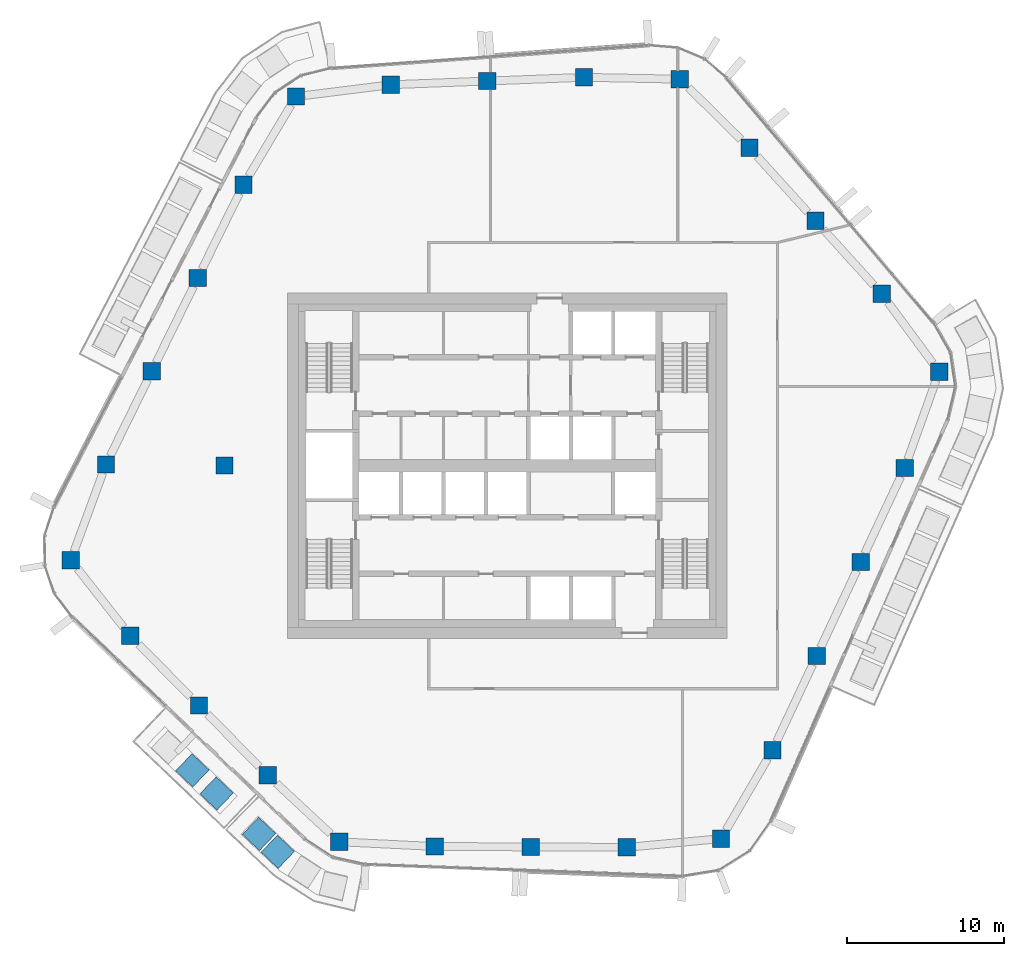
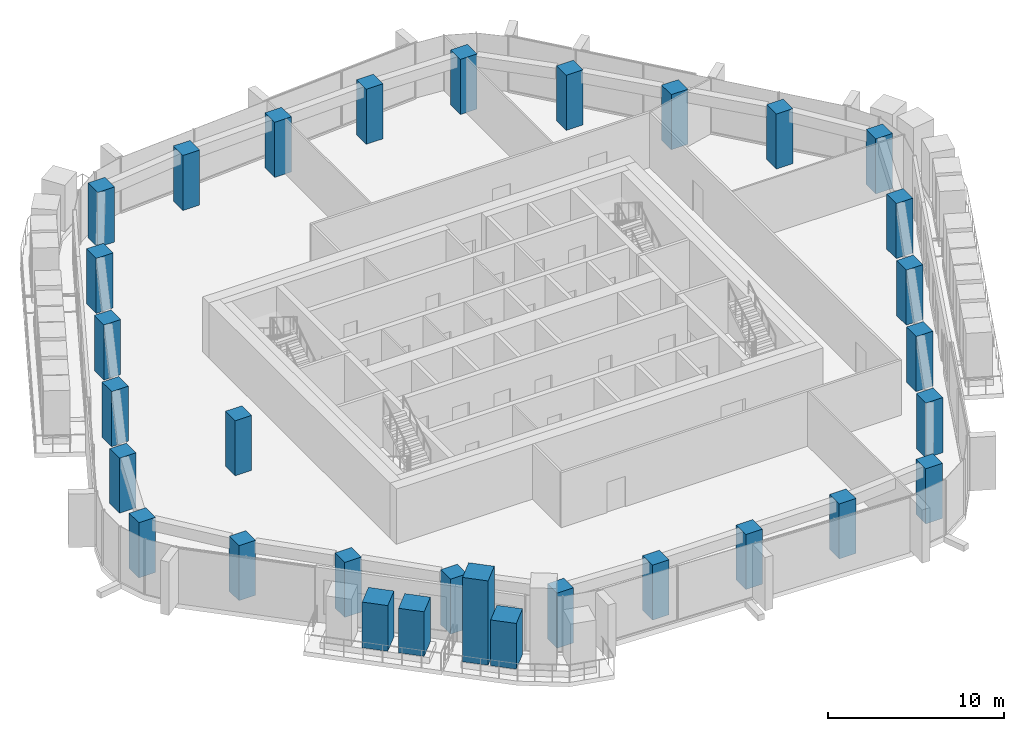
# One storey, part 1 of 21: 27 columns, 4 members.
"""IFC4 building model written with IfcOpenShell, lengths in metres."""

from ifc_helpers import new_model, si_unit, direction, frame, origin, origin_2d, place, context, subcontext, project, spatial, rectangle, extrude, material, material_profile, profile_set, type_object, element, save


model = new_model("IFC4")

# Units and contexts
model_context = context("Model", 3, precision=1e-05, world=origin(), true_north=direction((0.0, 1.0)))
body_context = subcontext(model_context, "Body", "Model", "MODEL_VIEW")
ifc_project = project(units=[si_unit("LENGTHUNIT", "METRE"), si_unit("AREAUNIT", "SQUARE_METRE"), si_unit("VOLUMEUNIT", "CUBIC_METRE"), si_unit("PLANEANGLEUNIT", "RADIAN"), si_unit("MASSUNIT", "GRAM", prefix="KILO")], contexts=[model_context])

# Site, building, storey
site_placement = place(None, origin())
site = spatial("IfcSite", under=ifc_project, at=site_placement, CompositionType="ELEMENT")
building_placement = place(site_placement, origin())
building = spatial("IfcBuilding", under=site, at=building_placement, Name="Dongbaek Canopy Tower", CompositionType="ELEMENT")
storey_placement = place(building_placement, frame((0.0, 0.0, 274.800048828125)))
storey = spatial("IfcBuildingStorey", under=building, at=storey_placement, Name="L58", CompositionType="ELEMENT", Elevation=274.800048828125)

# Columns
ifc_material_1 = material(Name="Concrete C70", Category="concrete")
ifc_material_profile_1 = material_profile(ifc_material_1, rectangle(XDim=1.10009765625, YDim=1.10009765625, at=origin_2d()), Name="RC COLUMN 1100x1100 C70")
ifc_profile_set_1 = profile_set([ifc_material_profile_1], Name="Concrete C70")
column_type = type_object("IfcColumnType", Name="RC COLUMN 1100x1100 C70", PredefinedType="COLUMN", material=ifc_profile_set_1)
for number, where, z_axis, x_axis, name in (
    (1, (13.612060546875, -23.74609375, 0.0), (0.0, 0.0, 1.0), (1.0, 0.0, 0.0), "COL:CZ4-01:L58"),
    (2, (7.615966796875, -24.300048828125, 0.0), (0.0, 0.0, 1.0), (1.0, 0.0, 0.0), "COL:CZ4-02:L58"),
    (3, (1.501953125, -24.27197265625, 0.0), (0.0, 0.0, 1.0), (1.0, 0.0, 0.0), "COL:CZ4-03:L58"),
    (4, (-4.611083984375, -24.24609375, 0.0), (0.0, 0.0, 1.0), (1.0, 0.0, 0.0), "COL:CZ4-04:L58"),
    (5, (-10.697021484375, -23.946044921875, 0.0), (0.0, 0.0, 1.0), (1.0, 0.0, 0.0), "COL:CZ4-05:L58"),
    (6, (-15.2470703125, -19.714111328125, 0.0), (0.0, 0.0, 1.0), (1.0, 0.0, 0.0), "COL:CZ4-06:L58"),
    (7, (-19.6220703125, -15.27197265625, 0.0), (0.0, 0.0, 1.0), (1.0, 0.0, 0.0), "COL:CZ4-07:L58"),
    (8, (-23.9970703125, -10.8291015625, 0.0), (0.0, 0.0, 1.0), (1.0, 0.0, 0.0), "COL:CZ4-08:L58"),
    (9, (-27.781982421875, -6.02001953125, 0.0), (0.0, 0.0, 1.0), (1.0, 0.0, 0.0), "COL:CZ4-09:L58"),
    (10, (-25.5400390625, 0.075927734375, 0.0), (0.0, 0.0, 1.0), (1.0, 0.0, 0.0), "COL:CZ4-10:L58"),
    (11, (-22.62109375, 6.010986328125, 0.0), (0.0, 0.0, 1.0), (1.0, 0.0, 0.0), "COL:CZ4-11:L58"),
    (12, (-19.701904296875, 11.945068359375, 0.0), (0.0, 0.0, 1.0), (1.0, 0.0, 0.0), "COL:CZ4-12:L58"),
    (13, (-16.783935546875, 17.8779296875, 0.0), (0.0, 0.0, 1.0), (1.0, 0.0, 0.0), "COL:CZ4-13:L58"),
    (14, (-13.44189453125, 23.490966796875, 0.0), (0.0, 0.0, 1.0), (1.0, 0.0, 0.0), "COL:CZ4-14:L58"),
    (15, (-7.4150390625, 24.242919921875, 0.0), (0.0, 0.0, 1.0), (1.0, 0.0, 0.0), "COL:CZ4-15:L58"),
    (16, (-1.26611328125, 24.47900390625, 0.0), (0.0, 0.0, 1.0), (1.0, 0.0, 0.0), "COL:CZ4-16:L58"),
    (17, (4.883056640625, 24.714111328125, 0.0), (0.0, 0.0, 1.0), (1.0, 0.0, 0.0), "COL:CZ4-17:L58"),
    (18, (10.989990234375, 24.59912109375, 0.0), (0.0, 0.0, 1.0), (1.0, 0.0, 0.0), "COL:CZ4-18:L58"),
    (19, (15.41796875, 20.22900390625, 0.0), (0.0, 0.0, 1.0), (1.0, 0.0, 0.0), "COL:CZ4-19:L58"),
    (20, (19.625, 15.583984375, 0.0), (0.0, 0.0, 1.0), (1.0, 0.0, 0.0), "COL:CZ4-20:L58"),
    (21, (23.8310546875, 10.93896484375, 0.0), (0.0, 0.0, 1.0), (1.0, 0.0, 0.0), "COL:CZ4-21:L58"),
    (22, (27.491943359375, 5.97705078125, 0.0), (0.0, 0.0, 1.0), (1.0, 0.0, 0.0), "COL:CZ4-22:L58"),
    (23, (25.302001953125, -0.152099609375, 0.0), (0.0, 0.0, 1.0), (1.0, 0.0, 0.0), "COL:CZ4-23:L58"),
    (24, (22.4990234375, -6.138916015625, 0.0), (0.0, 0.0, 1.0), (1.0, 0.0, 0.0), "COL:CZ4-24:L58"),
    (25, (19.695068359375, -12.126953125, 0.0), (0.0, 0.0, 1.0), (1.0, 0.0, 0.0), "COL:CZ4-25:L58"),
    (26, (16.889892578125, -18.114013671875, 0.0), (0.0, 0.0, 1.0), (1.0, 0.0, 0.0), "COL:CZ4-26:L58"),
    (27, (-18.0, 0.0, 0.0), (0.0, 0.0, 1.0), (1.0, 0.0, 0.0), "COL:CIZ4-01:L58"),
):
    element("IfcColumn", number, at=place(storey_placement, frame(where, z_axis=z_axis, x_axis=x_axis)), inside=storey, type_object=column_type, Name=name, PredefinedType="COLUMN", context=body_context, shape_type="SweptSolid", body=[
        extrude(rectangle(XDim=1.10009765625, YDim=1.10009765625, at=origin_2d()), origin(), (0.0, 0.0, 1.0), 3.820068359375),
    ])

# Members
ifc_material_2 = material(Name="Concrete C40/50 planter mass with planting", Category="concrete")
ifc_material_profile_2 = material_profile(ifc_material_2, rectangle(XDim=1.5, YDim=1.5, at=origin_2d()), Name="Terrace PLANTER shrub mass 1500 x 1500")
ifc_profile_set_2 = profile_set([ifc_material_profile_2], Name="Concrete C40/50 planter mass with planting")
member_type = type_object("IfcMemberType", Name="Terrace PLANTER shrub mass 1500 x 1500", PredefinedType="USERDEFINED", material=ifc_profile_set_2)
member_1_placement = place(storey_placement, frame((-20.043212890625, -19.400634765625, 0.419921875), z_axis=(0.0, 0.0, 1.0), x_axis=(-0.690481624386, -0.723349933562, 0.0)))
element("IfcMember", 28, at=member_1_placement, inside=storey, type_object=member_type, Name="Planter shrubs L58 2.2", ObjectType="PLANTER", PredefinedType="USERDEFINED", context=body_context, shape_type="SweptSolid", body=[
    extrude(rectangle(XDim=1.5, YDim=1.5, at=origin_2d()), origin(), (0.0, 0.0, 1.0), 3.169921875),
])
member_2_placement = place(storey_placement, frame((-18.503662109375, -20.869873046875, 0.419921875), z_axis=(0.0, 0.0, 1.0), x_axis=(-0.690481624386, -0.723349933562, 0.0)))
element("IfcMember", 29, at=member_2_placement, inside=storey, type_object=member_type, Name="Planter shrubs L58 2.3", ObjectType="PLANTER", PredefinedType="USERDEFINED", context=body_context, shape_type="SweptSolid", body=[
    extrude(rectangle(XDim=1.5, YDim=1.5, at=origin_2d()), origin(), (0.0, 0.0, 1.0), 3.090087890625),
])
member_3_placement = place(storey_placement, frame((-15.798828125, -23.44970703125, 0.419921875), z_axis=(0.0, 0.0, 1.0), x_axis=(-0.68895657281, -0.724802621948, 0.0)))
element("IfcMember", 30, at=member_3_placement, inside=storey, type_object=member_type, Name="Planter tree L58 6.1", ObjectType="PLANTER", PredefinedType="USERDEFINED", context=body_context, shape_type="SweptSolid", body=[
    extrude(rectangle(XDim=1.5, YDim=1.5, at=origin_2d()), origin(), (0.0, 0.0, 1.0), 5.85009765625),
])
member_4_placement = place(storey_placement, frame((-14.6044921875, -24.584716796875, 0.419921875), z_axis=(0.0, 0.0, 1.0), x_axis=(-0.68895657281, -0.724802621948, 0.0)))
element("IfcMember", 31, at=member_4_placement, inside=storey, type_object=member_type, Name="Planter shrubs L58 6.2", ObjectType="PLANTER", PredefinedType="USERDEFINED", context=body_context, shape_type="SweptSolid", body=[
    extrude(rectangle(XDim=1.5, YDim=1.5, at=origin_2d()), origin(), (0.0, 0.0, 1.0), 3.169921875),
])

save(model, "model.ifc")
